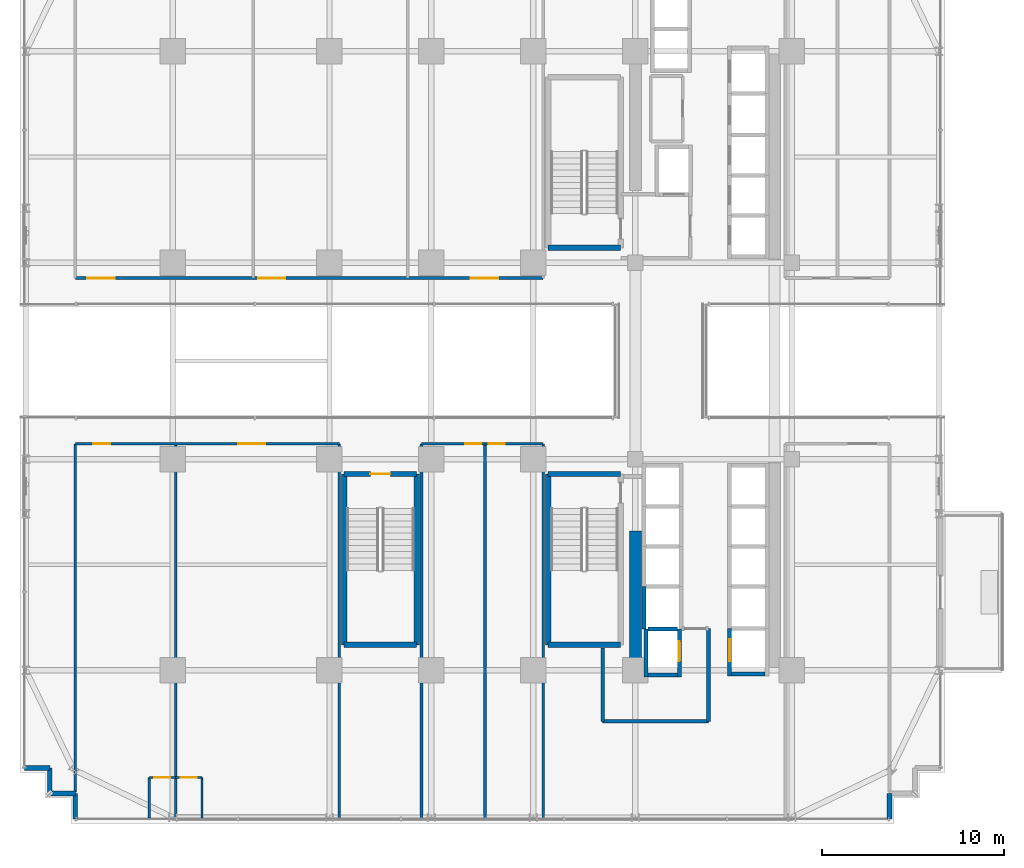
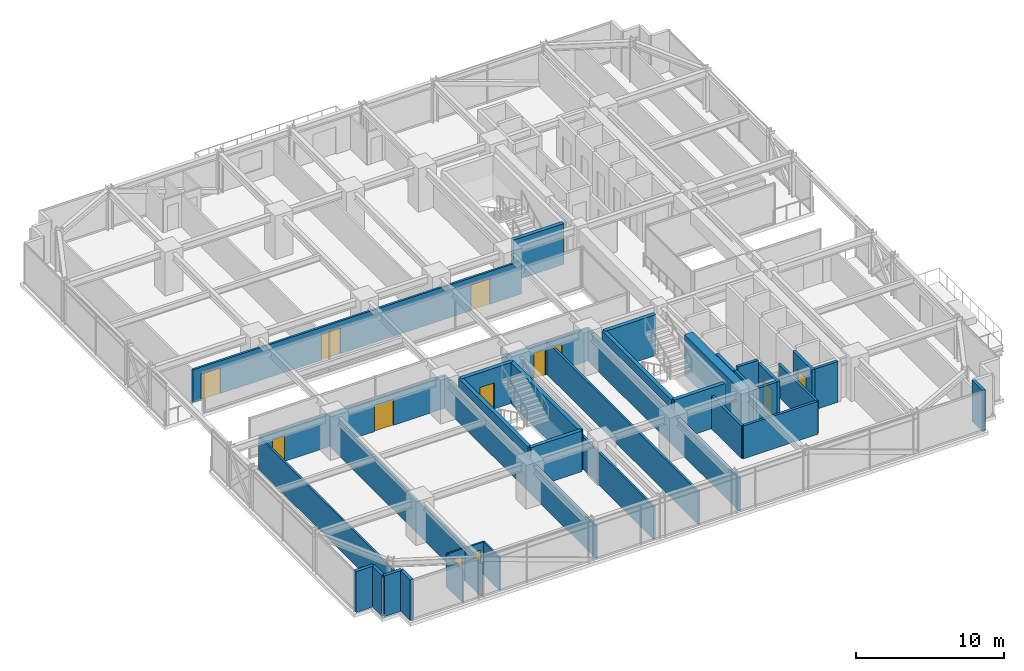
# One storey, part 40 of 47: 38 walls, 12 doors, 12 openings.
"""IFC4 building model written with IfcOpenShell, lengths in metres."""

from ifc_helpers import new_model, si_unit, direction, frame, frame_2d, origin, place, context, subcontext, project, spatial, rectangle, extrude, source, transform, mapped, material, layer, layer_set, type_object, element, fill, save


model = new_model("IFC4")

# Units and contexts
model_context = context("Model", 3, precision=1e-05, world=origin(), true_north=direction((0.0, 1.0)))
body_context = subcontext(model_context, "Body", "Model", "MODEL_VIEW")
ifc_project = project(units=[si_unit("LENGTHUNIT", "METRE"), si_unit("AREAUNIT", "SQUARE_METRE"), si_unit("VOLUMEUNIT", "CUBIC_METRE"), si_unit("PLANEANGLEUNIT", "RADIAN"), si_unit("MASSUNIT", "GRAM", prefix="KILO")], contexts=[model_context])

# Site, building, storey
site_placement = place(None, origin())
site = spatial("IfcSite", under=ifc_project, at=site_placement, CompositionType="ELEMENT")
building_placement = place(site_placement, origin())
building = spatial("IfcBuilding", under=site, at=building_placement, Name="Nahalor Promenade Grand Hotel", CompositionType="ELEMENT")
storey_placement = place(building_placement, frame((0.0, 0.0, 68.89990234375)))
storey = spatial("IfcBuildingStorey", under=building, at=storey_placement, Name="L16", CompositionType="ELEMENT", Elevation=68.89990234375)

# Walls
ifc_material_1 = material(Name="Concrete B-60 (C50/60)", Category="concrete")
ifc_layer_1 = layer(ifc_material_1, 0.64990234375)
ifc_layer_set_1 = layer_set([ifc_layer_1], Name="Concrete B-60 (C50/60)")
wall_type_1 = type_object("IfcWallType", Name="Wall-CoreShear-650", PredefinedType="SHEAR", material=ifc_layer_set_1)
shared_shape_1 = source(origin(), body_context, "Body", "SweptSolid", [
    extrude(rectangle(XDim=7.64990234375, YDim=0.64990234375, at=frame_2d((3.824951171875, 0.0))), origin(), (0.0, 0.0, 1.0), 3.3701171875),
])
wall_1_placement = place(storey_placement, frame((8.39990234375, -17.0, 0.0), z_axis=(0.0, 0.0, 1.0), x_axis=(0.0, 1.0, 0.0)))
element("IfcWall", 1, at=wall_1_placement, inside=storey, type_object=wall_type_1, Name="CWALL-L16-SW", PredefinedType="SHEAR", context=body_context, shape_type="MappedRepresentation", body=[
    mapped(shared_shape_1, transform((0.0, 0.0, 0.0), scale=1.0)),
])
ifc_material_2 = material(Name="Concrete B-50 (C40/50)", Category="concrete")
ifc_layer_2 = layer(ifc_material_2, 0.300048828125)
ifc_layer_set_2 = layer_set([ifc_layer_2], Name="Concrete B-50 (C40/50)")
wall_type_2 = type_object("IfcWallType", Name="Wall-ShaftShear-300", PredefinedType="SHEAR", material=ifc_layer_set_2)
shared_shape_2 = source(origin(), body_context, "Body", "SweptSolid", [
    extrude(rectangle(XDim=3.97998046875, YDim=0.300048828125, at=frame_2d((1.989990234375, 0.0))), origin(), (0.0, 0.0, 1.0), 3.3701171875),
])
for number, where, z_axis, x_axis, name in (
    (2, (3.610107421875, 6.2099609375, 0.0), (0.0, 0.0, 1.0), (1.0, 0.0, 0.0), "L16 Exit Stair ST1 Shaft Wall S"),
    (3, (3.610107421875, -15.590087890625, 0.0), (0.0, 0.0, 1.0), (1.0, 0.0, 0.0), "L16 Exit Stair ST2 Shaft Wall S"),
    (4, (3.610107421875, -6.2099609375, 0.0), (0.0, 0.0, 1.0), (1.0, 0.0, 0.0), "L16 Exit Stair ST2 Shaft Wall N"),
    (5, (-7.590087890625, -15.590087890625, 0.0), (0.0, 0.0, 1.0), (1.0, 0.0, 0.0), "L16 Exit Stair ST3 Shaft Wall S"),
):
    element("IfcWall", number, at=place(storey_placement, frame(where, z_axis=z_axis, x_axis=x_axis)), inside=storey, type_object=wall_type_2, Name=name, PredefinedType="SHEAR", context=body_context, shape_type="MappedRepresentation", body=[
        mapped(shared_shape_2, transform((0.0, 0.0, 0.0), scale=1.0)),
    ])

# Wall, opening, door
wall_2_placement = place(storey_placement, frame((-7.590087890625, -6.2099609375, 0.0), z_axis=(0.0, 0.0, 1.0), x_axis=(1.0, 0.0, 0.0)))
wall_2 = element("IfcWall", 6, at=wall_2_placement, inside=storey, type_object=wall_type_2, Name="L16 Exit Stair ST3 Shaft Wall N", PredefinedType="SHEAR", context=body_context, shape_type="MappedRepresentation", body=[
    mapped(shared_shape_2, transform((0.0, 0.0, 0.0), scale=1.0)),
])
opening_1_placement = place(wall_2_placement, frame((1.43994140625, 0.0, 0.0)))
opening_1 = element("IfcOpeningElement", 7, at=opening_1_placement, cuts=wall_2, Name="Opening D-ST1", PredefinedType="OPENING", context=body_context, shape_type="SweptSolid", body=[
    extrude(rectangle(XDim=1.10009765625, YDim=2.14990234375, at=frame_2d((0.550048828125, 1.074951171875))), frame((0.0, 0.159912109375, 0.0), z_axis=(0.0, -1.0, 0.0), x_axis=(1.0, 0.0, 0.0)), (0.0, 0.0, 1.0), 0.320068359375),
])
ifc_material_3 = material(Name="Steel S355JR", Category="steel")
door_type_1 = type_object("IfcDoorType", Name="Door-StairFire-1100", OperationType="NOTDEFINED", PredefinedType="DOOR", material=ifc_material_3)
shared_shape_3 = source(origin(), body_context, "Body", "SweptSolid", [
    extrude(rectangle(XDim=1.10009765625, YDim=2.14990234375, at=frame_2d((0.550048828125, 1.074951171875))), frame((0.0, 0.02490234375, 0.0), z_axis=(0.0, -1.0, 0.0), x_axis=(1.0, 0.0, 0.0)), (0.0, 0.0, 1.0), 0.050048828125),
])
door_1_placement = place(opening_1_placement, frame((1.10009765625, 0.0, 0.0), z_axis=(0.0, 0.0, 1.0), x_axis=(-1.0, 0.0, 0.0)))
door_1 = element("IfcDoor", 8, at=door_1_placement, inside=storey, type_object=door_type_1, Name="DR-STAIR-ST3-L16", OperationType="SINGLE_SWING_LEFT", OverallHeight=2.14990234375, OverallWidth=1.10009765625, PredefinedType="DOOR", context=body_context, shape_type="MappedRepresentation", body=[
    mapped(shared_shape_3, transform((0.0, 0.0, 0.0), scale=1.0)),
])
fill(opening_1, door_1)

# Walls
shared_shape_4 = source(origin(), body_context, "Body", "SweptSolid", [
    extrude(rectangle(XDim=9.380126953125, YDim=0.300048828125, at=frame_2d((4.68994140625, 0.0))), origin(), (0.0, 0.0, 1.0), 3.3701171875),
])
for number, where, z_axis, x_axis, name in (
    (9, (3.610107421875, -15.590087890625, 0.0), (0.0, 0.0, 1.0), (0.0, 1.0, 0.0), "L16 Exit Stair ST2 Shaft Wall W"),
    (10, (-7.590087890625, -15.590087890625, 0.0), (0.0, 0.0, 1.0), (0.0, 1.0, 0.0), "L16 Exit Stair ST3 Shaft Wall W"),
    (11, (-3.610107421875, -15.590087890625, 0.0), (0.0, 0.0, 1.0), (0.0, 1.0, 0.0), "L16 Exit Stair ST3 Shaft Wall E"),
):
    element("IfcWall", number, at=place(storey_placement, frame(where, z_axis=z_axis, x_axis=x_axis)), inside=storey, type_object=wall_type_2, Name=name, PredefinedType="SHEAR", context=body_context, shape_type="MappedRepresentation", body=[
        mapped(shared_shape_4, transform((0.0, 0.0, 0.0), scale=1.0)),
    ])
ifc_layer_3 = layer(ifc_material_2, 0.219970703125)
ifc_layer_set_3 = layer_set([ifc_layer_3], Name="Concrete B-50 (C40/50)")
wall_type_3 = type_object("IfcWallType", Name="Wall-LiftShaft-220", PredefinedType="SHEAR", material=ifc_layer_set_3)
shared_shape_5 = source(origin(), body_context, "Body", "SweptSolid", [
    extrude(rectangle(XDim=1.820068359375, YDim=0.219970703125, at=frame_2d((0.91015625, 0.0))), origin(), (0.0, 0.0, 1.0), 3.3701171875),
])
wall_3_placement = place(storey_placement, frame((13.68994140625, -17.199951171875, 0.0), z_axis=(0.0, 0.0, 1.0), x_axis=(1.0, 0.0, 0.0)))
element("IfcWall", 12, at=wall_3_placement, inside=storey, type_object=wall_type_3, Name="L16 Lift SV2 Hoistway Wall S", PredefinedType="SHEAR", context=body_context, shape_type="MappedRepresentation", body=[
    mapped(shared_shape_5, transform((0.0, 0.0, 0.0), scale=1.0)),
])
shared_shape_6 = source(origin(), body_context, "Body", "SweptSolid", [
    extrude(rectangle(XDim=2.3251953125, YDim=0.219970703125, at=frame_2d((1.16259765625, 0.0))), origin(), (0.0, 0.0, 1.0), 3.3701171875),
])
wall_4_placement = place(storey_placement, frame((8.8798828125, -14.72509765625, 0.0), z_axis=(0.0, 0.0, 1.0), x_axis=(0.0, 1.0, 0.0)))
element("IfcWall", 13, at=wall_4_placement, inside=storey, type_object=wall_type_3, Name="L16 Lift PL12 Hoistway Wall W", PredefinedType="SHEAR", context=body_context, shape_type="MappedRepresentation", body=[
    mapped(shared_shape_6, transform((0.0, 0.0, 0.0), scale=1.0)),
])
shared_shape_7 = source(origin(), body_context, "Body", "SweptSolid", [
    extrude(rectangle(XDim=2.635009765625, YDim=0.219970703125, at=frame_2d((1.3173828125, 0.0))), origin(), (0.0, 0.0, 1.0), 3.3701171875),
])
wall_5_placement = place(storey_placement, frame((8.97998046875, -17.360107421875, 0.0), z_axis=(0.0, 0.0, 1.0), x_axis=(0.0, 1.0, 0.0)))
element("IfcWall", 14, at=wall_5_placement, inside=storey, type_object=wall_type_3, Name="L16 Lift FL2 Hoistway Wall W", PredefinedType="SHEAR", context=body_context, shape_type="MappedRepresentation", body=[
    mapped(shared_shape_7, transform((0.0, 0.0, 0.0), scale=1.0)),
])

# Wall, opening, door
wall_6_placement = place(storey_placement, frame((10.820068359375, -17.360107421875, 0.0), z_axis=(0.0, 0.0, 1.0), x_axis=(0.0, 1.0, 0.0)))
wall_6 = element("IfcWall", 15, at=wall_6_placement, inside=storey, type_object=wall_type_3, Name="L16 Lift FL2 Hoistway Wall E", PredefinedType="SHEAR", context=body_context, shape_type="MappedRepresentation", body=[
    mapped(shared_shape_7, transform((0.0, 0.0, 0.0), scale=1.0)),
])
opening_2_placement = place(wall_6_placement, frame((0.860107421875, 0.0, 0.0)))
opening_2 = element("IfcOpeningElement", 16, at=opening_2_placement, cuts=wall_6, Name="Opening LD-02", PredefinedType="OPENING", context=body_context, shape_type="SweptSolid", body=[
    extrude(rectangle(XDim=1.10009765625, YDim=2.199951171875, at=frame_2d((0.550048828125, 1.10009765625))), frame((0.0, 0.119873046875, 0.0), z_axis=(0.0, -1.0, 0.0), x_axis=(1.0, 0.0, 0.0)), (0.0, 0.0, 1.0), 0.239990234375),
])
door_type_2 = type_object("IfcDoorType", Name="Door-LiftFF-1100", OperationType="DOUBLE_DOOR_SLIDING", PredefinedType="DOOR", material=ifc_material_3)
shared_shape_8 = source(origin(), body_context, "Body", "SweptSolid", [
    extrude(rectangle(XDim=1.10009765625, YDim=2.199951171875, at=frame_2d((0.550048828125, 1.10009765625))), frame((0.0, 0.02490234375, 0.0), z_axis=(0.0, -1.0, 0.0), x_axis=(1.0, 0.0, 0.0)), (0.0, 0.0, 1.0), 0.050048828125),
])
door_2_placement = place(opening_2_placement, frame((1.10009765625, 0.0, 0.0), z_axis=(0.0, 0.0, 1.0), x_axis=(-1.0, 0.0, 0.0)))
door_2 = element("IfcDoor", 17, at=door_2_placement, inside=storey, type_object=door_type_2, Name="DR-LIFT-FL2-L16", OperationType="DOUBLE_DOOR_SLIDING", OverallHeight=2.199951171875, OverallWidth=1.10009765625, PredefinedType="DOOR", context=body_context, shape_type="MappedRepresentation", body=[
    mapped(shared_shape_8, transform((0.0, 0.0, 0.0), scale=1.0)),
])
fill(opening_2, door_2)

# Walls
shared_shape_9 = source(origin(), body_context, "Body", "SweptSolid", [
    extrude(rectangle(XDim=1.619873046875, YDim=0.219970703125, at=frame_2d((0.81005859375, 0.0))), origin(), (0.0, 0.0, 1.0), 3.3701171875),
])
wall_7_placement = place(storey_placement, frame((9.090087890625, -17.25, 0.0), z_axis=(0.0, 0.0, 1.0), x_axis=(1.0, 0.0, 0.0)))
element("IfcWall", 18, at=wall_7_placement, inside=storey, type_object=wall_type_3, Name="L16 Lift FL2 Hoistway Wall S", PredefinedType="SHEAR", context=body_context, shape_type="MappedRepresentation", body=[
    mapped(shared_shape_9, transform((0.0, 0.0, 0.0), scale=1.0)),
])
shared_shape_10 = source(origin(), body_context, "Body", "SweptSolid", [
    extrude(rectangle(XDim=1.619873046875, YDim=0.219970703125, at=frame_2d((0.81005859375, 0.0))), origin(), (0.0, 0.0, 1.0), 3.650146484375),
])
wall_8_placement = place(storey_placement, frame((9.090087890625, -14.72509765625, 0.0), z_axis=(0.0, 0.0, 1.0), x_axis=(1.0, 0.0, 0.0)))
element("IfcWall", 19, at=wall_8_placement, inside=storey, type_object=wall_type_3, Name="L16 Lift FL2 Hoistway Wall N", PredefinedType="SHEAR", context=body_context, shape_type="MappedRepresentation", body=[
    mapped(shared_shape_10, transform((0.0, 0.0, 0.0), scale=1.0)),
])

# Wall, opening, door
shared_shape_11 = source(origin(), body_context, "Body", "SweptSolid", [
    extrude(rectangle(XDim=2.610107421875, YDim=0.219970703125, at=frame_2d((1.30517578125, 0.0))), origin(), (0.0, 0.0, 1.0), 3.3701171875),
])
wall_9_placement = place(storey_placement, frame((13.580078125, -17.31005859375, 0.0), z_axis=(0.0, 0.0, 1.0), x_axis=(0.0, 1.0, 0.0)))
wall_9 = element("IfcWall", 20, at=wall_9_placement, inside=storey, type_object=wall_type_3, Name="L16 Lift SV2 Hoistway Wall W", PredefinedType="SHEAR", context=body_context, shape_type="MappedRepresentation", body=[
    mapped(shared_shape_11, transform((0.0, 0.0, 0.0), scale=1.0)),
])
opening_3_placement = place(wall_9_placement, frame((0.81005859375, 0.0, 0.0)))
opening_3 = element("IfcOpeningElement", 21, at=opening_3_placement, cuts=wall_9, Name="Opening LD-03", PredefinedType="OPENING", context=body_context, shape_type="SweptSolid", body=[
    extrude(rectangle(XDim=1.199951171875, YDim=2.199951171875, at=frame_2d((0.60009765625, 1.10009765625))), frame((0.0, 0.119873046875, 0.0), z_axis=(0.0, -1.0, 0.0), x_axis=(1.0, 0.0, 0.0)), (0.0, 0.0, 1.0), 0.239990234375),
])
door_type_3 = type_object("IfcDoorType", Name="Door-LiftService-1200", OperationType="DOUBLE_DOOR_SLIDING", PredefinedType="DOOR", material=ifc_material_3)
shared_shape_12 = source(origin(), body_context, "Body", "SweptSolid", [
    extrude(rectangle(XDim=1.199951171875, YDim=2.199951171875, at=frame_2d((0.60009765625, 1.10009765625))), frame((0.0, 0.02490234375, 0.0), z_axis=(0.0, -1.0, 0.0), x_axis=(1.0, 0.0, 0.0)), (0.0, 0.0, 1.0), 0.050048828125),
])
door_3_placement = place(opening_3_placement, origin())
door_3 = element("IfcDoor", 22, at=door_3_placement, inside=storey, type_object=door_type_3, Name="DR-LIFT-SV2-L16", OperationType="DOUBLE_DOOR_SLIDING", OverallHeight=2.199951171875, OverallWidth=1.199951171875, PredefinedType="DOOR", context=body_context, shape_type="MappedRepresentation", body=[
    mapped(shared_shape_12, transform((0.0, 0.0, 0.0), scale=1.0)),
])
fill(opening_3, door_3)

# Walls
ifc_material_4 = material(Name="Concrete B-40 (C32/40)", Category="concrete")
ifc_layer_4 = layer(ifc_material_4, 0.25)
ifc_layer_set_4 = layer_set([ifc_layer_4], Name="Concrete B-40 (C32/40)")
wall_type_4 = type_object("IfcWallType", Name="Wall-BronzePier-250", PredefinedType="STANDARD", material=ifc_layer_set_4)
shared_shape_13 = source(origin(), body_context, "Body", "SweptSolid", [
    extrude(rectangle(XDim=1.39990234375, YDim=0.25, at=frame_2d((0.699951171875, 0.0))), origin(), (0.0, 0.0, 1.0), 3.3701171875),
])
for number, where, z_axis, x_axis, name in (
    (23, (22.360107421875, -25.159912109375, 0.0), (0.0, 0.0, 1.0), (0.0, 1.0, 0.0), "W-L16-SR-01"),
    (24, (-25.159912109375, -22.360107421875, 0.0), (0.0, 0.0, 1.0), (1.0, 0.0, 0.0), "W-L16-SR-13"),
    (25, (-23.760009765625, -23.760009765625, 0.0), (0.0, 0.0, 1.0), (0.0, 1.0, 0.0), "W-L16-SR-14"),
    (26, (-23.760009765625, -23.760009765625, 0.0), (0.0, 0.0, 1.0), (1.0, 0.0, 0.0), "W-L16-SR-15"),
    (27, (-22.360107421875, -25.159912109375, 0.0), (0.0, 0.0, 1.0), (0.0, 1.0, 0.0), "W-L16-SR-16"),
):
    element("IfcWall", number, at=place(storey_placement, frame(where, z_axis=z_axis, x_axis=x_axis)), inside=storey, type_object=wall_type_4, Name=name, PredefinedType="STANDARD", context=body_context, shape_type="MappedRepresentation", body=[
        mapped(shared_shape_13, transform((0.0, 0.0, 0.0), scale=1.0)),
    ])
ifc_layer_5 = layer(ifc_material_4, 0.199951171875)
ifc_layer_set_5 = layer_set([ifc_layer_5], Name="Concrete B-40 (C32/40)")
wall_type_5 = type_object("IfcWallType", Name="Wall-PartFire-200", PredefinedType="PARTITIONING", material=ifc_layer_set_5)
shared_shape_14 = source(origin(), body_context, "Body", "SweptSolid", [
    extrude(rectangle(XDim=5.81982421875, YDim=0.199951171875, at=frame_2d((2.909912109375, 0.0))), origin(), (0.0, 0.0, 1.0), 2.710205078125),
])
wall_10_placement = place(storey_placement, frame((6.60009765625, -19.800048828125, 0.0), z_axis=(0.0, 0.0, 1.0), x_axis=(1.0, 0.0, 0.0)))
element("IfcWall", 28, at=wall_10_placement, inside=storey, type_object=wall_type_5, Name="W-L16-FF2-S1", PredefinedType="PARTITIONING", context=body_context, shape_type="MappedRepresentation", body=[
    mapped(shared_shape_14, transform((0.0, 0.0, 0.0), scale=1.0)),
])
shared_shape_15 = source(origin(), body_context, "Body", "SweptSolid", [
    extrude(rectangle(XDim=4.030029296875, YDim=0.199951171875, at=frame_2d((2.01513671875, 0.0))), origin(), (0.0, 0.0, 1.0), 2.710205078125),
])
wall_11_placement = place(storey_placement, frame((6.60009765625, -19.800048828125, 0.0), z_axis=(0.0, 0.0, 1.0), x_axis=(0.0, 1.0, 0.0)))
element("IfcWall", 29, at=wall_11_placement, inside=storey, type_object=wall_type_5, Name="W-L16-FF2-W1", PredefinedType="PARTITIONING", context=body_context, shape_type="MappedRepresentation", body=[
    mapped(shared_shape_15, transform((0.0, 0.0, 0.0), scale=1.0)),
])
shared_shape_16 = source(origin(), body_context, "Body", "SweptSolid", [
    extrude(rectangle(XDim=5.10009765625, YDim=0.199951171875, at=frame_2d((2.550048828125, 0.0))), origin(), (0.0, 0.0, 1.0), 2.710205078125),
])
wall_12_placement = place(storey_placement, frame((12.419921875, -19.800048828125, 0.0), z_axis=(0.0, 0.0, 1.0), x_axis=(0.0, 1.0, 0.0)))
element("IfcWall", 30, at=wall_12_placement, inside=storey, type_object=wall_type_5, Name="W-L16-FF2-E", PredefinedType="PARTITIONING", context=body_context, shape_type="MappedRepresentation", body=[
    mapped(shared_shape_16, transform((0.0, 0.0, 0.0), scale=1.0)),
])
ifc_material_5 = material(Name="Acoustic Mineral Gypsum", Category="gypsum")
ifc_layer_6 = layer(ifc_material_5, 0.159912109375)
ifc_layer_set_6 = layer_set([ifc_layer_6], Name="Acoustic Mineral Gypsum")
wall_type_6 = type_object("IfcWallType", Name="Wall-PartCorridor-160", PredefinedType="PARTITIONING", material=ifc_layer_set_6)
shared_shape_17 = source(origin(), body_context, "Body", "SweptSolid", [
    extrude(rectangle(XDim=20.550048828125, YDim=0.159912109375, at=frame_2d((10.27490234375, 0.0))), origin(), (0.0, 0.0, 1.0), 2.710205078125),
])
for number, where, z_axis, x_axis, name in (
    (31, (-3.340087890625, -25.10009765625, 0.0), (0.0, 0.0, 1.0), (0.0, 1.0, 0.0), "W-L16-SCB1-W"),
    (32, (0.14990234375, -25.10009765625, 0.0), (0.0, 0.0, 1.0), (0.0, 1.0, 0.0), "W-L16-SCB1-E"),
    (33, (3.340087890625, -25.10009765625, 0.0), (0.0, 0.0, 1.0), (0.0, 1.0, 0.0), "W-L16-SCB2-E"),
):
    element("IfcWall", number, at=place(storey_placement, frame(where, z_axis=z_axis, x_axis=x_axis)), inside=storey, type_object=wall_type_6, Name=name, PredefinedType="PARTITIONING", context=body_context, shape_type="MappedRepresentation", body=[
        mapped(shared_shape_17, transform((0.0, 0.0, 0.0), scale=1.0)),
    ])

# Wall, openings, doors
shared_shape_18 = source(origin(), body_context, "Body", "SweptSolid", [
    extrude(rectangle(XDim=25.7001953125, YDim=0.159912109375, at=frame_2d((12.85009765625, 0.0))), origin(), (0.0, 0.0, 1.0), 2.710205078125),
])
wall_13_placement = place(storey_placement, frame((-22.360107421875, 4.550048828125, 0.0), z_axis=(0.0, 0.0, 1.0), x_axis=(1.0, 0.0, 0.0)))
wall_13 = element("IfcWall", 34, at=wall_13_placement, inside=storey, type_object=wall_type_6, Name="W-L16-CORR-N", PredefinedType="PARTITIONING", context=body_context, shape_type="MappedRepresentation", body=[
    mapped(shared_shape_18, transform((0.0, 0.0, 0.0), scale=1.0)),
])
opening_4_placement = place(wall_13_placement, frame((0.652099609375, 0.0, 0.0)))
opening_4 = element("IfcOpeningElement", 35, at=opening_4_placement, cuts=wall_13, Name="Opening D-02", PredefinedType="OPENING", context=body_context, shape_type="SweptSolid", body=[
    extrude(rectangle(XDim=1.5, YDim=2.14990234375, at=frame_2d((0.75, 1.074951171875))), frame((0.0, 0.08984375, 0.0), z_axis=(0.0, -1.0, 0.0), x_axis=(1.0, 0.0, 0.0)), (0.0, 0.0, 1.0), 0.179931640625),
])
opening_5_placement = place(wall_13_placement, frame((10.04296875, 0.0, 0.0)))
opening_5 = element("IfcOpeningElement", 36, at=opening_5_placement, cuts=wall_13, Name="Opening D-02", PredefinedType="OPENING", context=body_context, shape_type="SweptSolid", body=[
    extrude(rectangle(XDim=1.5, YDim=2.14990234375, at=frame_2d((0.75, 1.074951171875))), frame((0.0, 0.08984375, 0.0), z_axis=(0.0, -1.0, 0.0), x_axis=(1.0, 0.0, 0.0)), (0.0, 0.0, 1.0), 0.179931640625),
])
opening_6_placement = place(wall_13_placement, frame((21.72705078125, 0.0, 0.0)))
opening_6 = element("IfcOpeningElement", 37, at=opening_6_placement, cuts=wall_13, Name="Opening D-02", PredefinedType="OPENING", context=body_context, shape_type="SweptSolid", body=[
    extrude(rectangle(XDim=1.5, YDim=2.14990234375, at=frame_2d((0.75, 1.074951171875))), frame((0.0, 0.08984375, 0.0), z_axis=(0.0, -1.0, 0.0), x_axis=(1.0, 0.0, 0.0)), (0.0, 0.0, 1.0), 0.179931640625),
])
ifc_material_6 = material(Name="Fire-Rated Timber Composite", Category="wood")
door_type_4 = type_object("IfcDoorType", Name="Door-SuiteDouble-1500", OperationType="DOUBLE_DOOR_SINGLE_SWING", PredefinedType="DOOR", material=ifc_material_6)
shared_shape_19 = source(origin(), body_context, "Body", "SweptSolid", [
    extrude(rectangle(XDim=1.5, YDim=2.14990234375, at=frame_2d((0.75, 1.074951171875))), frame((0.0, 0.02490234375, 0.0), z_axis=(0.0, -1.0, 0.0), x_axis=(1.0, 0.0, 0.0)), (0.0, 0.0, 1.0), 0.050048828125),
])
door_4_placement = place(opening_4_placement, origin())
door_4 = element("IfcDoor", 38, at=door_4_placement, inside=storey, type_object=door_type_4, Name="DR-L16-N1-ENT", OperationType="DOUBLE_DOOR_SINGLE_SWING", OverallHeight=2.14990234375, OverallWidth=1.5, PredefinedType="DOOR", context=body_context, shape_type="MappedRepresentation", body=[
    mapped(shared_shape_19, transform((0.0, 0.0, 0.0), scale=1.0)),
])
fill(opening_4, door_4)
door_5_placement = place(opening_5_placement, origin())
door_5 = element("IfcDoor", 39, at=door_5_placement, inside=storey, type_object=door_type_4, Name="DR-L16-N2-ENT", OperationType="DOUBLE_DOOR_SINGLE_SWING", OverallHeight=2.14990234375, OverallWidth=1.5, PredefinedType="DOOR", context=body_context, shape_type="MappedRepresentation", body=[
    mapped(shared_shape_19, transform((0.0, 0.0, 0.0), scale=1.0)),
])
fill(opening_5, door_5)
door_6_placement = place(opening_6_placement, origin())
door_6 = element("IfcDoor", 40, at=door_6_placement, inside=storey, type_object=door_type_4, Name="DR-L16-N3-ENT", OperationType="DOUBLE_DOOR_SINGLE_SWING", OverallHeight=2.14990234375, OverallWidth=1.5, PredefinedType="DOOR", context=body_context, shape_type="MappedRepresentation", body=[
    mapped(shared_shape_19, transform((0.0, 0.0, 0.0), scale=1.0)),
])
fill(opening_6, door_6)

# Walls
ifc_layer_7 = layer(ifc_material_5, 0.139892578125)
ifc_layer_set_7 = layer_set([ifc_layer_7], Name="Acoustic Mineral Gypsum")
wall_type_7 = type_object("IfcWallType", Name="Wall-PartSuite-140", PredefinedType="PARTITIONING", material=ifc_layer_set_7)
shared_shape_20 = source(origin(), body_context, "Body", "SweptSolid", [
    extrude(rectangle(XDim=19.1298828125, YDim=0.139892578125, at=frame_2d((9.56494140625, 0.0))), origin(), (0.0, 0.0, 1.0), 2.710205078125),
])
wall_14_placement = place(storey_placement, frame((-22.360107421875, -23.679931640625, 0.0), z_axis=(0.0, 0.0, 1.0), x_axis=(0.0, 1.0, 0.0)))
element("IfcWall", 41, at=wall_14_placement, inside=storey, type_object=wall_type_7, Name="W-L16-SW-ENDW", PredefinedType="PARTITIONING", context=body_context, shape_type="MappedRepresentation", body=[
    mapped(shared_shape_20, transform((0.0, 0.0, 0.0), scale=1.0)),
])
shared_shape_21 = source(origin(), body_context, "Body", "SweptSolid", [
    extrude(rectangle(XDim=20.550048828125, YDim=0.139892578125, at=frame_2d((10.27490234375, 0.0))), origin(), (0.0, 0.0, 1.0), 2.710205078125),
])
for number, where, z_axis, x_axis, name in (
    (42, (-7.860107421875, -25.10009765625, 0.0), (0.0, 0.0, 1.0), (0.0, 1.0, 0.0), "W-L16-SW-ENDE"),
    (43, (-16.85009765625, -25.10009765625, 0.0), (0.0, 0.0, 1.0), (0.0, 1.0, 0.0), "W-L16-SP-1"),
):
    element("IfcWall", number, at=place(storey_placement, frame(where, z_axis=z_axis, x_axis=x_axis)), inside=storey, type_object=wall_type_7, Name=name, PredefinedType="PARTITIONING", context=body_context, shape_type="MappedRepresentation", body=[
        mapped(shared_shape_21, transform((0.0, 0.0, 0.0), scale=1.0)),
    ])

# Wall, opening, door
ifc_layer_8 = layer(ifc_material_5, 0.1201171875)
ifc_layer_set_8 = layer_set([ifc_layer_8], Name="Acoustic Mineral Gypsum")
wall_type_8 = type_object("IfcWallType", Name="Wall-PartBath-120", PredefinedType="PARTITIONING", material=ifc_layer_set_8)
shared_shape_22 = source(origin(), body_context, "Body", "SweptSolid", [
    extrude(rectangle(XDim=1.449951171875, YDim=0.1201171875, at=frame_2d((0.72509765625, 0.0))), origin(), (0.0, 0.0, 1.0), 2.710205078125),
])
wall_15_placement = place(storey_placement, frame((-18.300048828125, -22.8798828125, 0.0), z_axis=(0.0, 0.0, 1.0), x_axis=(1.0, 0.0, 0.0)))
wall_15 = element("IfcWall", 44, at=wall_15_placement, inside=storey, type_object=wall_type_8, Name="W-L16-S1-BH", PredefinedType="PARTITIONING", context=body_context, shape_type="MappedRepresentation", body=[
    mapped(shared_shape_22, transform((0.0, 0.0, 0.0), scale=1.0)),
])
opening_7_placement = place(wall_15_placement, frame((0.284912109375, 0.0, 0.0)))
opening_7 = element("IfcOpeningElement", 45, at=opening_7_placement, cuts=wall_15, Name="Opening D-03", PredefinedType="OPENING", context=body_context, shape_type="SweptSolid", body=[
    extrude(rectangle(XDim=0.8798828125, YDim=2.10009765625, at=frame_2d((0.43994140625, 1.050048828125))), frame((0.0, 0.070068359375, 0.0), z_axis=(0.0, -1.0, 0.0), x_axis=(1.0, 0.0, 0.0)), (0.0, 0.0, 1.0), 0.14013671875),
])
door_type_5 = type_object("IfcDoorType", Name="Door-BathSwing-880", OperationType="NOTDEFINED", PredefinedType="DOOR", material=ifc_material_6)
shared_shape_23 = source(origin(), body_context, "Body", "SweptSolid", [
    extrude(rectangle(XDim=0.8798828125, YDim=2.10009765625, at=frame_2d((0.43994140625, 1.050048828125))), frame((0.0, 0.02490234375, 0.0), z_axis=(0.0, -1.0, 0.0), x_axis=(1.0, 0.0, 0.0)), (0.0, 0.0, 1.0), 0.050048828125),
])
door_7_placement = place(opening_7_placement, frame((0.8798828125, 0.0, 0.0), z_axis=(0.0, 0.0, 1.0), x_axis=(-1.0, 0.0, 0.0)))
door_7 = element("IfcDoor", 46, at=door_7_placement, inside=storey, type_object=door_type_5, Name="DR-L16-S1-BATH", OperationType="SINGLE_SWING_LEFT", OverallHeight=2.10009765625, OverallWidth=0.8798828125, PredefinedType="DOOR", context=body_context, shape_type="MappedRepresentation", body=[
    mapped(shared_shape_23, transform((0.0, 0.0, 0.0), scale=1.0)),
])
fill(opening_7, door_7)

# Walls
shared_shape_24 = source(origin(), body_context, "Body", "SweptSolid", [
    extrude(rectangle(XDim=2.22021484375, YDim=0.1201171875, at=frame_2d((1.110107421875, 0.0))), origin(), (0.0, 0.0, 1.0), 2.710205078125),
])
for number, where, z_axis, x_axis, name in (
    (47, (-18.300048828125, -25.10009765625, 0.0), (0.0, 0.0, 1.0), (0.0, 1.0, 0.0), "W-L16-S1-BV"),
    (48, (-15.39990234375, -25.10009765625, 0.0), (0.0, 0.0, 1.0), (0.0, 1.0, 0.0), "W-L16-S2-BV"),
):
    element("IfcWall", number, at=place(storey_placement, frame(where, z_axis=z_axis, x_axis=x_axis)), inside=storey, type_object=wall_type_8, Name=name, PredefinedType="PARTITIONING", context=body_context, shape_type="MappedRepresentation", body=[
        mapped(shared_shape_24, transform((0.0, 0.0, 0.0), scale=1.0)),
    ])

# Wall, opening, door
shared_shape_25 = source(origin(), body_context, "Body", "SweptSolid", [
    extrude(rectangle(XDim=1.4501953125, YDim=0.1201171875, at=frame_2d((0.72509765625, 0.0))), origin(), (0.0, 0.0, 1.0), 2.710205078125),
])
wall_16_placement = place(storey_placement, frame((-16.85009765625, -22.8798828125, 0.0), z_axis=(0.0, 0.0, 1.0), x_axis=(1.0, 0.0, 0.0)))
wall_16 = element("IfcWall", 49, at=wall_16_placement, inside=storey, type_object=wall_type_8, Name="W-L16-S2-BH", PredefinedType="PARTITIONING", context=body_context, shape_type="MappedRepresentation", body=[
    mapped(shared_shape_25, transform((0.0, 0.0, 0.0), scale=1.0)),
])
opening_8_placement = place(wall_16_placement, frame((0.284912109375, 0.0, 0.0)))
opening_8 = element("IfcOpeningElement", 50, at=opening_8_placement, cuts=wall_16, Name="Opening D-03", PredefinedType="OPENING", context=body_context, shape_type="SweptSolid", body=[
    extrude(rectangle(XDim=0.8798828125, YDim=2.10009765625, at=frame_2d((0.43994140625, 1.050048828125))), frame((0.0, 0.070068359375, 0.0), z_axis=(0.0, -1.0, 0.0), x_axis=(1.0, 0.0, 0.0)), (0.0, 0.0, 1.0), 0.14013671875),
])
door_8_placement = place(opening_8_placement, frame((0.8798828125, 0.0, 0.0), z_axis=(0.0, 0.0, 1.0), x_axis=(-1.0, 0.0, 0.0)))
door_8 = element("IfcDoor", 51, at=door_8_placement, inside=storey, type_object=door_type_5, Name="DR-L16-S2-BATH", OperationType="SINGLE_SWING_LEFT", OverallHeight=2.10009765625, OverallWidth=0.8798828125, PredefinedType="DOOR", context=body_context, shape_type="MappedRepresentation", body=[
    mapped(shared_shape_23, transform((0.0, 0.0, 0.0), scale=1.0)),
])
fill(opening_8, door_8)

# Wall, openings, doors
shared_shape_26 = source(origin(), body_context, "Body", "SweptSolid", [
    extrude(rectangle(XDim=14.5, YDim=0.159912109375, at=frame_2d((7.25, 0.0))), origin(), (0.0, 0.0, 1.0), 2.710205078125),
])
wall_17_placement = place(storey_placement, frame((-22.360107421875, -4.550048828125, 0.0), z_axis=(0.0, 0.0, 1.0), x_axis=(1.0, 0.0, 0.0)))
wall_17 = element("IfcWall", 52, at=wall_17_placement, inside=storey, type_object=wall_type_6, Name="W-L16-CORR-S", PredefinedType="PARTITIONING", context=body_context, shape_type="MappedRepresentation", body=[
    mapped(shared_shape_26, transform((0.0, 0.0, 0.0), scale=1.0)),
])
opening_9_placement = place(wall_17_placement, frame((0.97607421875, 0.0, 0.0)))
opening_9 = element("IfcOpeningElement", 53, at=opening_9_placement, cuts=wall_17, Name="Opening D-01", PredefinedType="OPENING", context=body_context, shape_type="SweptSolid", body=[
    extrude(rectangle(XDim=0.949951171875, YDim=2.10009765625, at=frame_2d((0.47509765625, 1.050048828125))), frame((0.0, 0.08984375, 0.0), z_axis=(0.0, -1.0, 0.0), x_axis=(1.0, 0.0, 0.0)), (0.0, 0.0, 1.0), 0.179931640625),
])
opening_10_placement = place(wall_17_placement, frame((8.94091796875, 0.0, 0.0)))
opening_10 = element("IfcOpeningElement", 54, at=opening_10_placement, cuts=wall_17, Name="Opening D-02", PredefinedType="OPENING", context=body_context, shape_type="SweptSolid", body=[
    extrude(rectangle(XDim=1.5, YDim=2.14990234375, at=frame_2d((0.75, 1.074951171875))), frame((0.0, 0.08984375, 0.0), z_axis=(0.0, -1.0, 0.0), x_axis=(1.0, 0.0, 0.0)), (0.0, 0.0, 1.0), 0.179931640625),
])
door_9_placement = place(opening_10_placement, frame((1.5, 0.0, 0.0), z_axis=(0.0, 0.0, 1.0), x_axis=(-1.0, 0.0, 0.0)))
door_9 = element("IfcDoor", 55, at=door_9_placement, inside=storey, type_object=door_type_4, Name="DR-L16-S2-ENT", OperationType="DOUBLE_DOOR_SINGLE_SWING", OverallHeight=2.14990234375, OverallWidth=1.5, PredefinedType="DOOR", context=body_context, shape_type="MappedRepresentation", body=[
    mapped(shared_shape_19, transform((0.0, 0.0, 0.0), scale=1.0)),
])
fill(opening_10, door_9)
door_type_6 = type_object("IfcDoorType", Name="Door-GuestEntry-950", OperationType="NOTDEFINED", PredefinedType="DOOR", material=ifc_material_6)
shared_shape_27 = source(origin(), body_context, "Body", "SweptSolid", [
    extrude(rectangle(XDim=0.949951171875, YDim=2.10009765625, at=frame_2d((0.47509765625, 1.050048828125))), frame((0.0, 0.02490234375, 0.0), z_axis=(0.0, -1.0, 0.0), x_axis=(1.0, 0.0, 0.0)), (0.0, 0.0, 1.0), 0.050048828125),
])
door_10_placement = place(opening_9_placement, frame((0.949951171875, 0.0, 0.0), z_axis=(0.0, 0.0, 1.0), x_axis=(-1.0, 0.0, 0.0)))
door_10 = element("IfcDoor", 56, at=door_10_placement, inside=storey, type_object=door_type_6, Name="DR-L16-S1-ENT", OperationType="SINGLE_SWING_RIGHT", OverallHeight=2.10009765625, OverallWidth=0.949951171875, PredefinedType="DOOR", context=body_context, shape_type="MappedRepresentation", body=[
    mapped(shared_shape_27, transform((0.0, 0.0, 0.0), scale=1.0)),
])
fill(opening_9, door_10)

# Wall, opening, door
shared_shape_28 = source(origin(), body_context, "Body", "SweptSolid", [
    extrude(rectangle(XDim=3.489990234375, YDim=0.159912109375, at=frame_2d((1.7451171875, 0.0))), origin(), (0.0, 0.0, 1.0), 2.710205078125),
])
wall_18_placement = place(storey_placement, frame((-3.340087890625, -4.550048828125, 0.0), z_axis=(0.0, 0.0, 1.0), x_axis=(1.0, 0.0, 0.0)))
wall_18 = element("IfcWall", 57, at=wall_18_placement, inside=storey, type_object=wall_type_6, Name="W-L16-SCB1-N", PredefinedType="PARTITIONING", context=body_context, shape_type="MappedRepresentation", body=[
    mapped(shared_shape_28, transform((0.0, 0.0, 0.0), scale=1.0)),
])
opening_11_placement = place(wall_18_placement, frame((2.39990234375, 0.0, 0.0)))
opening_11 = element("IfcOpeningElement", 58, at=opening_11_placement, cuts=wall_18, Name="Opening D-03", PredefinedType="OPENING", context=body_context, shape_type="SweptSolid", body=[
    extrude(rectangle(XDim=0.8798828125, YDim=2.10009765625, at=frame_2d((0.43994140625, 1.050048828125))), frame((0.0, 0.08984375, 0.0), z_axis=(0.0, -1.0, 0.0), x_axis=(1.0, 0.0, 0.0)), (0.0, 0.0, 1.0), 0.179931640625),
])
door_11_placement = place(opening_11_placement, frame((0.8798828125, 0.0, 0.0), z_axis=(0.0, 0.0, 1.0), x_axis=(-1.0, 0.0, 0.0)))
door_11 = element("IfcDoor", 59, at=door_11_placement, inside=storey, type_object=door_type_5, Name="DR-L16-SCB1", OperationType="SINGLE_SWING_RIGHT", OverallHeight=2.10009765625, OverallWidth=0.8798828125, PredefinedType="DOOR", context=body_context, shape_type="MappedRepresentation", body=[
    mapped(shared_shape_23, transform((0.0, 0.0, 0.0), scale=1.0)),
])
fill(opening_11, door_11)

shared_shape_29 = source(origin(), body_context, "Body", "SweptSolid", [
    extrude(rectangle(XDim=3.190185546875, YDim=0.159912109375, at=frame_2d((1.59521484375, 0.0))), origin(), (0.0, 0.0, 1.0), 2.710205078125),
])
wall_19_placement = place(storey_placement, frame((0.14990234375, -4.550048828125, 0.0), z_axis=(0.0, 0.0, 1.0), x_axis=(1.0, 0.0, 0.0)))
wall_19 = element("IfcWall", 60, at=wall_19_placement, inside=storey, type_object=wall_type_6, Name="W-L16-SCB2-N", PredefinedType="PARTITIONING", context=body_context, shape_type="MappedRepresentation", body=[
    mapped(shared_shape_29, transform((0.0, 0.0, 0.0), scale=1.0)),
])
opening_12_placement = place(wall_19_placement, frame((0.2099609375, 0.0, 0.0)))
opening_12 = element("IfcOpeningElement", 61, at=opening_12_placement, cuts=wall_19, Name="Opening D-03", PredefinedType="OPENING", context=body_context, shape_type="SweptSolid", body=[
    extrude(rectangle(XDim=0.8798828125, YDim=2.10009765625, at=frame_2d((0.43994140625, 1.050048828125))), frame((0.0, 0.08984375, 0.0), z_axis=(0.0, -1.0, 0.0), x_axis=(1.0, 0.0, 0.0)), (0.0, 0.0, 1.0), 0.179931640625),
])
door_12_placement = place(opening_12_placement, frame((0.8798828125, 0.0, 0.0), z_axis=(0.0, 0.0, 1.0), x_axis=(-1.0, 0.0, 0.0)))
door_12 = element("IfcDoor", 62, at=door_12_placement, inside=storey, type_object=door_type_5, Name="DR-L16-SCB2", OperationType="SINGLE_SWING_LEFT", OverallHeight=2.10009765625, OverallWidth=0.8798828125, PredefinedType="DOOR", context=body_context, shape_type="MappedRepresentation", body=[
    mapped(shared_shape_23, transform((0.0, 0.0, 0.0), scale=1.0)),
])
fill(opening_12, door_12)

save(model, "model.ifc")
